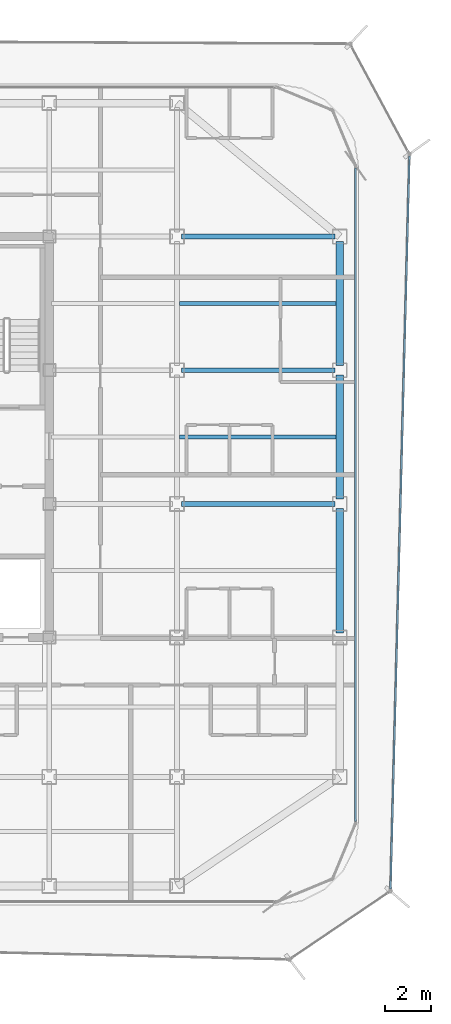
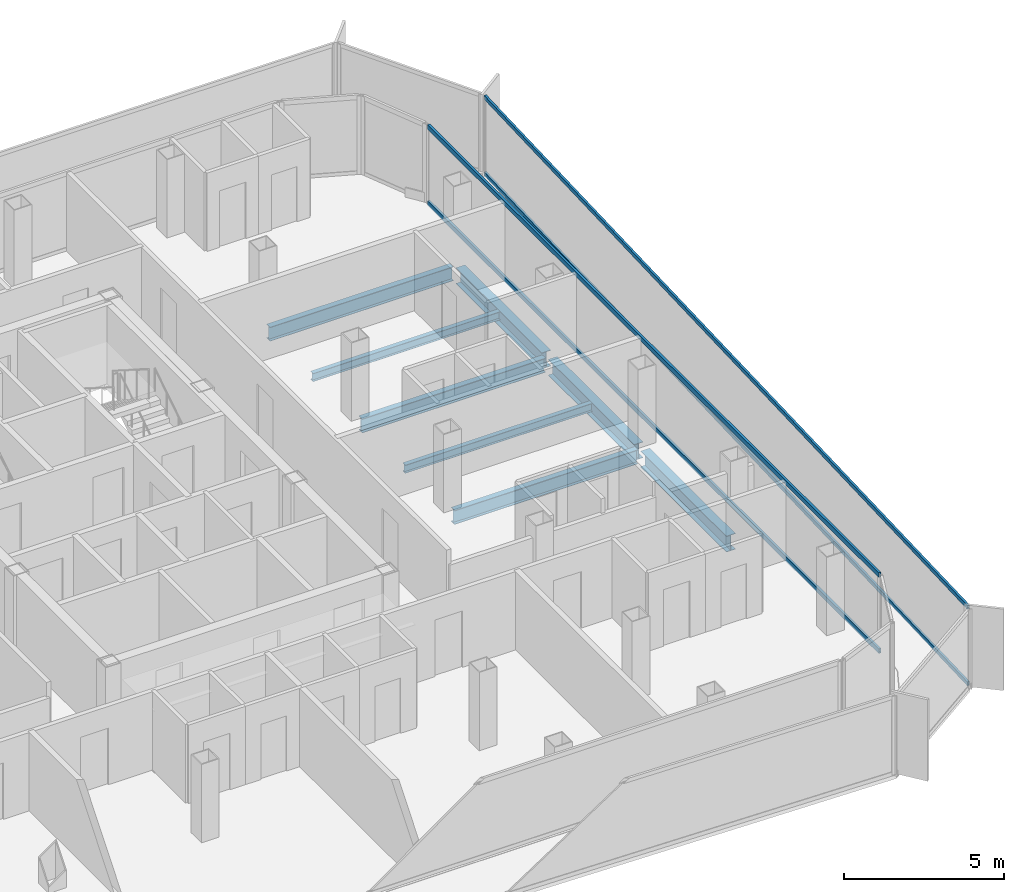
# One storey, part 5 of 16: 8 beams, 4 members, 2 elements without a shape of their own.
"""IFC4 building model written with IfcOpenShell, lengths in metres."""

from ifc_helpers import new_model, si_unit, direction, frame, origin, origin_2d, place, context, subcontext, project, spatial, hollow_rectangle, i_section, extrude, source, transform, mapped, material, layer, layer_set, material_profile, profile_set, type_object, element, aggregate, save


model = new_model("IFC4")

# Units and contexts
model_context = context("Model", 3, precision=1e-05, world=origin(), true_north=direction((0.0, 1.0)))
body_context = subcontext(model_context, "Body", "Model", "MODEL_VIEW")
ifc_project = project(units=[si_unit("LENGTHUNIT", "METRE"), si_unit("AREAUNIT", "SQUARE_METRE"), si_unit("VOLUMEUNIT", "CUBIC_METRE"), si_unit("PLANEANGLEUNIT", "RADIAN"), si_unit("MASSUNIT", "GRAM", prefix="KILO")], contexts=[model_context])

# Site, building, storey
site_placement = place(None, origin())
site = spatial("IfcSite", under=ifc_project, at=site_placement, CompositionType="ELEMENT")
building_placement = place(site_placement, origin())
building = spatial("IfcBuilding", under=site, at=building_placement, Name="Kolveth Station Tower", CompositionType="ELEMENT")
storey_placement = place(building_placement, frame((0.0, 0.0, 236.10009765625)))
storey = spatial("IfcBuildingStorey", under=building, at=storey_placement, Name="L67", CompositionType="ELEMENT", Elevation=236.10009765625)

# Beams
ifc_material_1 = material(Name="Steel S355", Category="steel")
ifc_material_profile_1 = material_profile(ifc_material_1, i_section(OverallWidth=0.323974609375, OverallDepth=0.611083984375, WebThickness=0.0126953125, FlangeThickness=0.01904296875, at=origin_2d()), Name="W610x155")
ifc_profile_set_1 = profile_set([ifc_material_profile_1], Name="Steel S355")
beam_type_1 = type_object("IfcBeamType", Name="Beam_SP2", PredefinedType="SPANDREL", material=ifc_profile_set_1)
shared_shape_1 = source(origin(), body_context, "Body", "SweptSolid", [
    extrude(i_section(OverallWidth=0.323974609375, OverallDepth=0.611083984375, WebThickness=0.0126953125, FlangeThickness=0.01904296875, at=origin_2d()), origin(), (0.0, 0.0, 1.0), 5.35009765625),
])
for number, where, z_axis, x_axis, name in (
    (1, (41.0, 11.699951171875, -0.525634765625), (0.0, 1.0, 0.0), (-1.0, 0.0, 0.0), "L67 Perimeter Spandrel BM-L67-PE-2"),
    (2, (41.0, 17.449951171875, -0.525634765625), (0.0, 1.0, 0.0), (-1.0, 0.0, 0.0), "L67 Perimeter Spandrel BM-L67-PE-3"),
    (3, (41.0, 23.199951171875, -0.525634765625), (0.0, 1.0, 0.0), (-1.0, 0.0, 0.0), "L67 Perimeter Spandrel BM-L67-PE-4"),
):
    element("IfcBeam", number, at=place(storey_placement, frame(where, z_axis=z_axis, x_axis=x_axis)), inside=storey, type_object=beam_type_1, Name=name, PredefinedType="SPANDREL", context=body_context, shape_type="MappedRepresentation", body=[
        mapped(shared_shape_1, transform((0.0, 0.0, 0.0), x_axis=(1.0, 0.0, 0.0), y_axis=(0.0, 1.0, 0.0), z_axis=(0.0, 0.0, 1.0), scale=1.0)),
    ])
ifc_material_profile_2 = material_profile(ifc_material_1, i_section(OverallWidth=0.2099609375, OverallDepth=0.537109375, WebThickness=0.010986328125, FlangeThickness=0.017333984375, at=origin_2d()), Name="W530x101")
ifc_profile_set_2 = profile_set([ifc_material_profile_2], Name="Steel S355")
beam_type_2 = type_object("IfcBeamType", Name="Beam_B6", PredefinedType="BEAM", material=ifc_profile_set_2)
shared_shape_2 = source(origin(), body_context, "Body", "SweptSolid", [
    extrude(i_section(OverallWidth=0.2099609375, OverallDepth=0.537109375, WebThickness=0.010986328125, FlangeThickness=0.017333984375, at=origin_2d()), origin(), (0.0, 0.0, 1.0), 6.60009765625),
])
for number, where, z_axis, x_axis, name in (
    (4, (34.199951171875, 17.25, -0.488525390625), (1.0, 0.0, 0.0), (0.0, 1.0, 0.0), "L67 Primary Girder BM-L67-GY172-5"),
    (5, (34.199951171875, 23.0, -0.488525390625), (1.0, 0.0, 0.0), (0.0, 1.0, 0.0), "L67 Primary Girder BM-L67-GY230-5"),
    (6, (34.199951171875, 28.75, -0.488525390625), (1.0, 0.0, 0.0), (0.0, 1.0, 0.0), "L67 Primary Girder BM-L67-GY287-5"),
):
    element("IfcBeam", number, at=place(storey_placement, frame(where, z_axis=z_axis, x_axis=x_axis)), inside=storey, type_object=beam_type_2, Name=name, PredefinedType="BEAM", context=body_context, shape_type="MappedRepresentation", body=[
        mapped(shared_shape_2, transform((0.0, 0.0, 0.0), x_axis=(1.0, 0.0, 0.0), y_axis=(0.0, 1.0, 0.0), z_axis=(0.0, 0.0, 1.0), scale=1.0)),
    ])
ifc_material_profile_3 = material_profile(ifc_material_1, i_section(OverallWidth=0.1650390625, OverallDepth=0.31005859375, WebThickness=0.005859375, FlangeThickness=0.009765625, at=origin_2d()), Name="W310x39")
ifc_profile_set_3 = profile_set([ifc_material_profile_3], Name="Steel S355")
beam_type_3 = type_object("IfcBeamType", Name="Beam_J3", PredefinedType="JOIST", material=ifc_profile_set_3)
shared_shape_3 = source(origin(), body_context, "Body", "SweptSolid", [
    extrude(i_section(OverallWidth=0.1650390625, OverallDepth=0.31005859375, WebThickness=0.005859375, FlangeThickness=0.009765625, at=origin_2d()), origin(), (0.0, 0.0, 1.0), 6.737060546875),
])
for number, where, z_axis, x_axis, name in (
    (7, (34.10302734375, 20.125, -0.375), (1.0, 0.0, 0.0), (0.0, 1.0, 0.0), "L67 Secondary Joist JST-L67-5-4"),
    (8, (34.10302734375, 25.875, -0.375), (1.0, 0.0, 0.0), (0.0, 1.0, 0.0), "L67 Secondary Joist JST-L67-5-5"),
):
    element("IfcBeam", number, at=place(storey_placement, frame(where, z_axis=z_axis, x_axis=x_axis)), inside=storey, type_object=beam_type_3, Name=name, PredefinedType="JOIST", context=body_context, shape_type="MappedRepresentation", body=[
        mapped(shared_shape_3, transform((0.0, 0.0, 0.0), x_axis=(1.0, 0.0, 0.0), y_axis=(0.0, 1.0, 0.0), z_axis=(0.0, 0.0, 1.0), scale=1.0)),
    ])

# Curtain wall, members
ifc_material_2 = material(Name="Aluminium 6063-T6 and triple low-E dark glass", Category="aluminium")
ifc_layer_1 = layer(ifc_material_2, 0.199951171875)
ifc_layer_set_1 = layer_set([ifc_layer_1], Name="Aluminium 6063-T6 and triple low-E dark glass")
curtain_wall_type_1 = type_object("IfcCurtainWallType", Name="CurtainWall_CW-Z3", PredefinedType="NOTDEFINED", material=ifc_layer_set_1)
curtain_wall_1_placement = place(storey_placement, origin())
curtain_wall_1 = element("IfcCurtainWall", 9, at=curtain_wall_1_placement, inside=storey, type_object=curtain_wall_type_1, Name="L67 Inner Thermal Curtain Wall 3", PredefinedType="NOTDEFINED")
ifc_material_3 = material(Name="Black anodized aluminium 6063-T6", Category="aluminium")
ifc_material_profile_4 = material_profile(ifc_material_3, hollow_rectangle(XDim=0.0849609375, YDim=0.179931640625, WallThickness=0.0048828125, at=origin_2d()), Name="ALU-85x180x5")
ifc_profile_set_4 = profile_set([ifc_material_profile_4], Name="Black anodized aluminium 6063-T6")
member_type_1 = type_object("IfcMemberType", Name="Transom_TR3", PredefinedType="USERDEFINED", material=ifc_profile_set_4)
shared_shape_4 = source(origin(), body_context, "Body", "SweptSolid", [
    extrude(hollow_rectangle(XDim=0.0849609375, YDim=0.179931640625, WallThickness=0.0048828125, at=origin_2d()), origin(), (0.0, 0.0, 1.0), 28.130126953125),
])
member_1_placement = place(storey_placement, frame((41.679931640625, 3.5849609375, 0.04248046875), z_axis=(0.0, 1.0, 0.0), x_axis=(-1.0, 0.0, 0.0)))
member_1 = element("IfcMember", 10, at=member_1_placement, type_object=member_type_1, Name="CW-Z3 transom 1.1", ObjectType="TRANSOM", PredefinedType="USERDEFINED", context=body_context, shape_type="MappedRepresentation", body=[
    mapped(shared_shape_4, transform((0.0, 0.0, 0.0), x_axis=(1.0, 0.0, 0.0), y_axis=(0.0, 1.0, 0.0), z_axis=(0.0, 0.0, 1.0), scale=1.0)),
])
member_2_placement = place(storey_placement, frame((41.679931640625, 3.5849609375, 2.9375), z_axis=(0.0, 1.0, 0.0), x_axis=(-1.0, 0.0, 0.0)))
member_2 = element("IfcMember", 11, at=member_2_placement, type_object=member_type_1, Name="CW-Z3 transom 1.2", ObjectType="TRANSOM", PredefinedType="USERDEFINED", context=body_context, shape_type="MappedRepresentation", body=[
    mapped(shared_shape_4, transform((0.0, 0.0, 0.0), x_axis=(1.0, 0.0, 0.0), y_axis=(0.0, 1.0, 0.0), z_axis=(0.0, 0.0, 1.0), scale=1.0)),
])
aggregate(curtain_wall_1, [member_1, member_2])

ifc_material_4 = material(Name="Black anodized aluminium 6063-T6 and dark solar glass", Category="aluminium")
ifc_layer_2 = layer(ifc_material_4, 0.159912109375)
ifc_layer_set_2 = layer_set([ifc_layer_2], Name="Black anodized aluminium 6063-T6 and dark solar glass")
curtain_wall_type_2 = type_object("IfcCurtainWallType", Name="OUTER SKIN CW-OS", PredefinedType="NOTDEFINED", material=ifc_layer_set_2)
curtain_wall_2_placement = place(storey_placement, origin())
curtain_wall_2 = element("IfcCurtainWall", 12, at=curtain_wall_2_placement, inside=storey, type_object=curtain_wall_type_2, Name="L67 Outer Ventilated Skin Curtain Wall 2", PredefinedType="NOTDEFINED")
ifc_material_profile_5 = material_profile(ifc_material_3, hollow_rectangle(XDim=0.080078125, YDim=0.14990234375, WallThickness=0.0048828125, at=origin_2d()), Name="ALU-80x150x5")
ifc_profile_set_5 = profile_set([ifc_material_profile_5], Name="Black anodized aluminium 6063-T6")
member_type_2 = type_object("IfcMemberType", Name="Transom_TR-OS", PredefinedType="USERDEFINED", material=ifc_profile_set_5)
shared_shape_5 = source(origin(), body_context, "Body", "SweptSolid", [
    extrude(hollow_rectangle(XDim=0.080078125, YDim=0.14990234375, WallThickness=0.0048828125, at=origin_2d()), origin(), (0.0, 0.0, 1.0), 31.5517578125),
])
member_3_placement = place(storey_placement, frame((43.185302734375, 0.67236328125, 0.039794921875), z_axis=(0.025828693417, 0.999666383648, 0.0), x_axis=(-0.999666383648, 0.025828693417, 0.0)))
member_3 = element("IfcMember", 13, at=member_3_placement, type_object=member_type_2, Name="CW-OS transom 1.1", ObjectType="TRANSOM", PredefinedType="USERDEFINED", context=body_context, shape_type="MappedRepresentation", body=[
    mapped(shared_shape_5, transform((0.0, 0.0, 0.0), x_axis=(1.0, 0.0, 0.0), y_axis=(0.0, 1.0, 0.0), z_axis=(0.0, 0.0, 1.0), scale=1.0)),
])
member_4_placement = place(storey_placement, frame((43.185302734375, 0.67236328125, 2.949951171875), z_axis=(0.025828693417, 0.999666383648, 0.0), x_axis=(-0.999666383648, 0.025828693417, 0.0)))
member_4 = element("IfcMember", 14, at=member_4_placement, type_object=member_type_2, Name="CW-OS transom 1.2", ObjectType="TRANSOM", PredefinedType="USERDEFINED", context=body_context, shape_type="MappedRepresentation", body=[
    mapped(shared_shape_5, transform((0.0, 0.0, 0.0), x_axis=(1.0, 0.0, 0.0), y_axis=(0.0, 1.0, 0.0), z_axis=(0.0, 0.0, 1.0), scale=1.0)),
])
aggregate(curtain_wall_2, [member_3, member_4])

save(model, "model.ifc")
